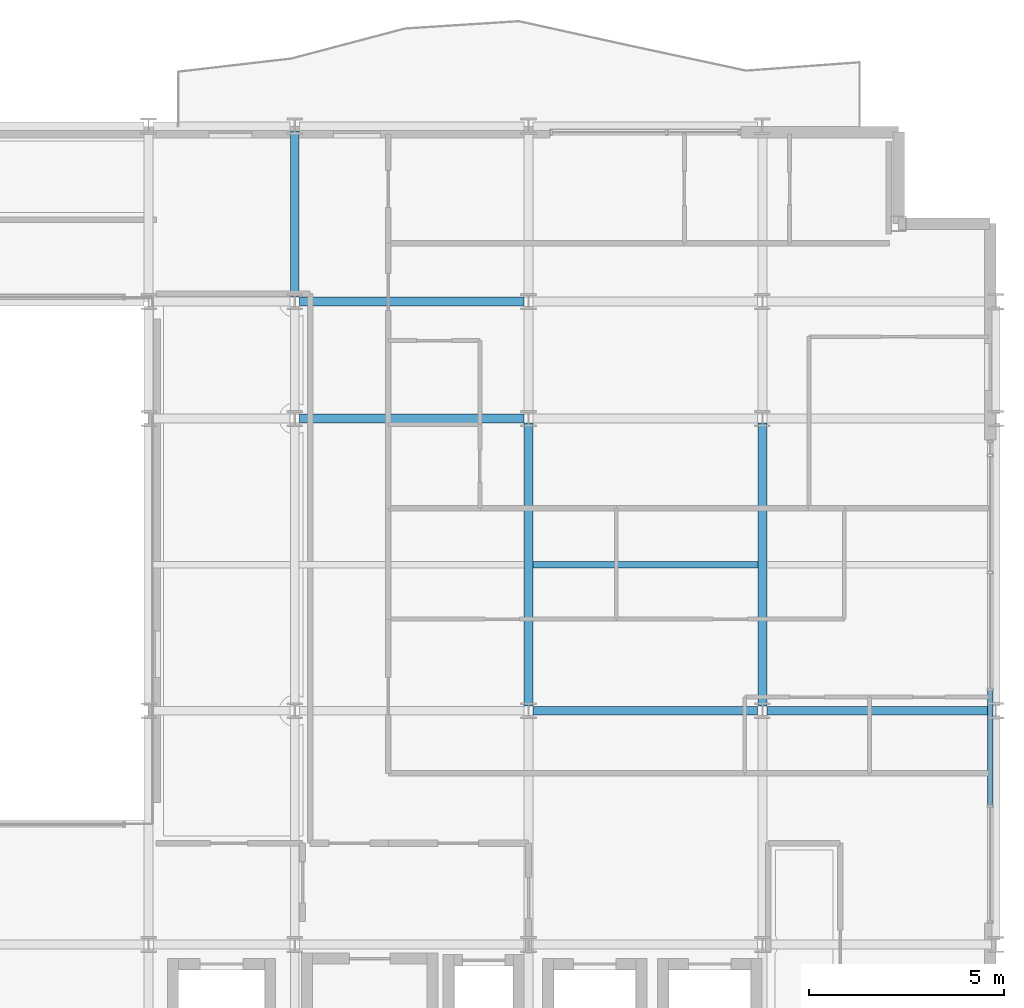
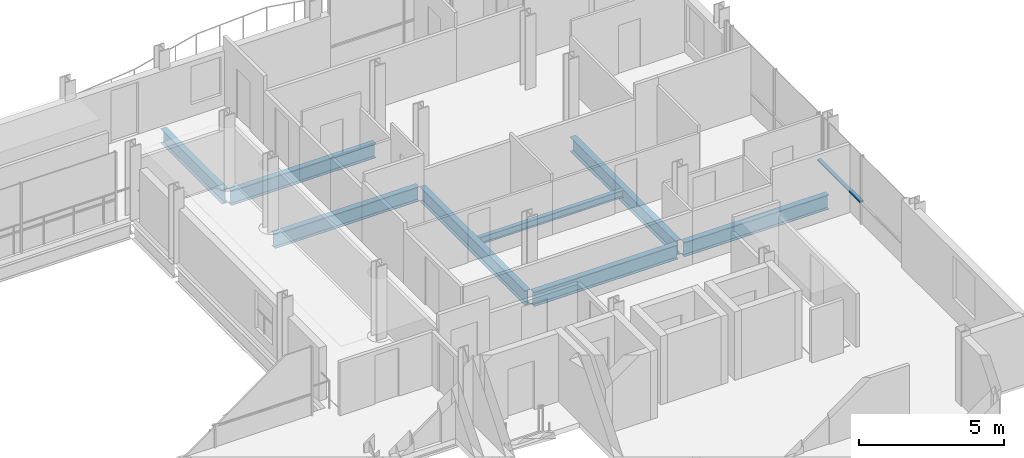
# One storey, part 20 of 41: 8 beams, 1 member, 1 element without a shape of its own.
"""IFC4 building model written with IfcOpenShell, lengths in metres."""

from ifc_helpers import new_model, si_unit, direction, frame, origin, origin_2d, place, context, subcontext, project, spatial, hollow_rectangle, i_section, extrude, material, layer, layer_set, material_profile, profile_set, type_object, element, aggregate, save


model = new_model("IFC4")

# Units and contexts
model_context = context("Model", 3, precision=1e-05, world=origin(), true_north=direction((0.0, 1.0)))
body_context = subcontext(model_context, "Body", "Model", "MODEL_VIEW")
ifc_project = project(units=[si_unit("LENGTHUNIT", "METRE"), si_unit("AREAUNIT", "SQUARE_METRE"), si_unit("VOLUMEUNIT", "CUBIC_METRE"), si_unit("PLANEANGLEUNIT", "RADIAN"), si_unit("MASSUNIT", "GRAM", prefix="KILO")], contexts=[model_context])

# Site, building, storey
site_placement = place(None, origin())
site = spatial("IfcSite", under=ifc_project, at=site_placement, CompositionType="ELEMENT")
building_placement = place(site_placement, origin())
building = spatial("IfcBuilding", under=site, at=building_placement, Name="Brevholm Reach", CompositionType="ELEMENT")
storey_placement = place(building_placement, frame((0.0, 0.0, 138.699951171875)))
storey = spatial("IfcBuildingStorey", under=building, at=storey_placement, Name="L41", CompositionType="ELEMENT", Elevation=138.699951171875)

# Beams
ifc_material_1 = material(Name="Structural Steel S355J2", Category="steel")
ifc_material_profile_1 = material_profile(ifc_material_1, i_section(OverallWidth=0.1650390625, OverallDepth=0.303466796875, WebThickness=0.006103515625, FlangeThickness=0.01025390625, FilletRadius=0.0087890625, at=origin_2d()), Name="UKB 305x165x40")
ifc_profile_set_1 = profile_set([ifc_material_profile_1], Name="Structural Steel S355J2")
beam_type_1 = type_object("IfcBeamType", Name="BM-B305", PredefinedType="BEAM", material=ifc_profile_set_1)
beam_1_placement = place(storey_placement, frame((48.114501953125, 19.75, -0.37158203125), z_axis=(1.0, 0.0, 0.0), x_axis=(0.0, 1.0, 0.0)))
element("IfcBeam", 1, at=beam_1_placement, inside=storey, type_object=beam_type_1, Name="L41 Composite Secondary Floor Beam", PredefinedType="BEAM", context=body_context, shape_type="SweptSolid", body=[
    extrude(i_section(OverallWidth=0.1650390625, OverallDepth=0.303466796875, WebThickness=0.006103515625, FlangeThickness=0.01025390625, FilletRadius=0.0087890625, at=origin_2d()), origin(), (0.0, 0.0, 1.0), 5.77099609375),
])
ifc_material_2 = material(Name="Structural Steel S355J2", Category="steel")
ifc_material_profile_2 = material_profile(ifc_material_2, i_section(OverallWidth=0.22900390625, OverallDepth=0.6123046875, WebThickness=0.011962890625, FlangeThickness=0.01953125, FilletRadius=0.0126953125, at=origin_2d()), Name="UKB 610x229x125")
ifc_profile_set_2 = profile_set([ifc_material_profile_2], Name="Structural Steel S355J2")
beam_type_2 = type_object("IfcBeamType", Name="BM-SP610", PredefinedType="SPANDREL", material=ifc_profile_set_2)
for number, where, z_axis, x_axis, name in (
    (2, (48.1201171875, 16.0, -0.526123046875), (1.0, 0.0, 0.0), (0.0, 1.0, 0.0), "L41 SP-01 Framing Beam"),
    (3, (54.1201171875, 16.0, -0.526123046875), (1.0, 0.0, 0.0), (0.0, 1.0, 0.0), "L41 SP-01 Framing Beam"),
    (4, (42.1201171875, 23.5, -0.526123046875), (1.0, 0.0, 0.0), (0.0, 1.0, 0.0), "L41 SP-01 Framing Beam"),
    (5, (42.1201171875, 26.5, -0.526123046875), (1.0, 0.0, 0.0), (0.0, 1.0, 0.0), "L41 SP-01 Framing Beam"),
):
    element("IfcBeam", number, at=place(storey_placement, frame(where, z_axis=z_axis, x_axis=x_axis)), inside=storey, type_object=beam_type_2, Name=name, PredefinedType="SPANDREL", context=body_context, shape_type="SweptSolid", body=[
        extrude(i_section(OverallWidth=0.22900390625, OverallDepth=0.6123046875, WebThickness=0.011962890625, FlangeThickness=0.01953125, FilletRadius=0.0126953125, at=origin_2d()), origin(), (0.0, 0.0, 1.0), 5.759765625),
    ])
beam_2_placement = place(storey_placement, frame((42.0, 26.6201171875, -0.526123046875), z_axis=(0.0, 1.0, 0.0), x_axis=(-1.0, 0.0, 0.0)))
element("IfcBeam", 6, at=beam_2_placement, inside=storey, type_object=beam_type_2, Name="L41 SP-01 Framing Beam", PredefinedType="SPANDREL", context=body_context, shape_type="SweptSolid", body=[
    extrude(i_section(OverallWidth=0.22900390625, OverallDepth=0.6123046875, WebThickness=0.011962890625, FlangeThickness=0.01953125, FilletRadius=0.0126953125, at=origin_2d()), origin(), (0.0, 0.0, 1.0), 4.259765625),
])
for number, where, z_axis, x_axis, name in (
    (7, (48.0, 16.1201171875, -0.526123046875), (0.0, 1.0, 0.0), (-1.0, 0.0, 0.0), "L41 SP-01 Framing Beam"),
    (8, (54.0, 16.1201171875, -0.526123046875), (0.0, 1.0, 0.0), (-1.0, 0.0, 0.0), "L41 SP-01 Framing Beam"),
):
    element("IfcBeam", number, at=place(storey_placement, frame(where, z_axis=z_axis, x_axis=x_axis)), inside=storey, type_object=beam_type_2, Name=name, PredefinedType="SPANDREL", context=body_context, shape_type="SweptSolid", body=[
        extrude(i_section(OverallWidth=0.22900390625, OverallDepth=0.6123046875, WebThickness=0.011962890625, FlangeThickness=0.01953125, FilletRadius=0.0126953125, at=origin_2d()), origin(), (0.0, 0.0, 1.0), 7.259765625),
    ])

# Curtain wall, member
ifc_material_3 = material(Name="Dark Anodised Aluminium 6063-T6 and Solar-Control Glass", Category="aluminium")
ifc_layer = layer(ifc_material_3, 0.14990234375)
ifc_layer_set = layer_set([ifc_layer], Name="Dark Anodised Aluminium 6063-T6 and Solar-Control Glass")
curtain_wall_type = type_object("IfcCurtainWallType", Name="CW-01", PredefinedType="NOTDEFINED", material=ifc_layer_set)
curtain_wall_placement = place(storey_placement, origin())
curtain_wall = element("IfcCurtainWall", 9, at=curtain_wall_placement, inside=storey, type_object=curtain_wall_type, Name="L41 Curtain Wall CW-01", PredefinedType="NOTDEFINED")
ifc_material_4 = material(Name="Dark Anodised Aluminium 6063-T6", Category="aluminium")
ifc_material_profile_3 = material_profile(ifc_material_4, hollow_rectangle(XDim=0.06494140625, YDim=0.14990234375, WallThickness=0.0048828125, InnerFilletRadius=0.0048828125, OuterFilletRadius=0.010009765625, at=origin_2d()), Name="RHS 150x65x5")
ifc_profile_set_3 = profile_set([ifc_material_profile_3], Name="Dark Anodised Aluminium 6063-T6")
member_type = type_object("IfcMemberType", Name="CWT-150", PredefinedType="NOTDEFINED", material=ifc_profile_set_3)
member_placement = place(storey_placement, frame((59.85009765625, 13.58251953125, 0.900146484375), z_axis=(0.0, 1.0, 0.0), x_axis=(0.0, 0.0, 1.0)))
member = element("IfcMember", 10, at=member_placement, type_object=member_type, Name="CT-150 Transom 2.1", ObjectType="TRANSOM", PredefinedType="USERDEFINED", context=body_context, shape_type="SweptSolid", body=[
    extrude(hollow_rectangle(XDim=0.06494140625, YDim=0.14990234375, WallThickness=0.0048828125, InnerFilletRadius=0.0048828125, OuterFilletRadius=0.010009765625, at=origin_2d()), origin(), (0.0, 0.0, 1.0), 2.93505859375),
])
aggregate(curtain_wall, [member])

save(model, "model.ifc")
